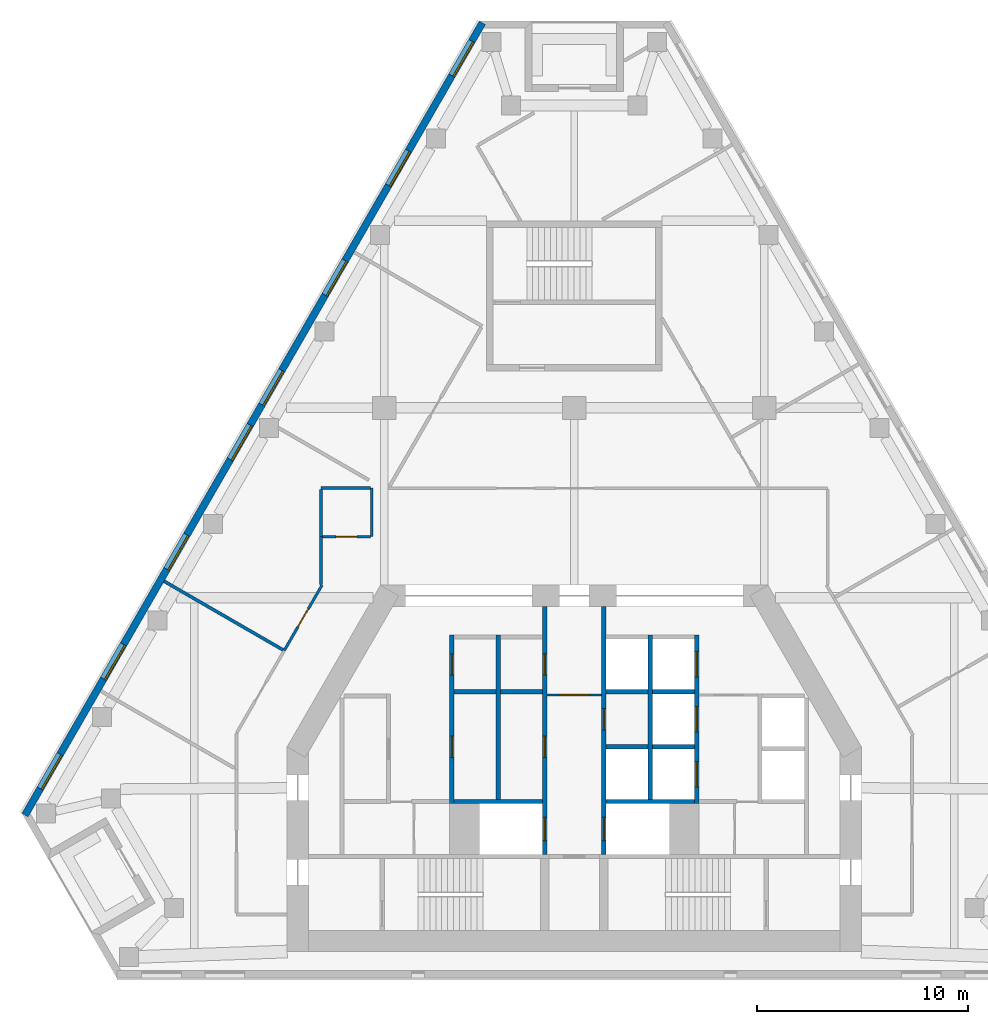
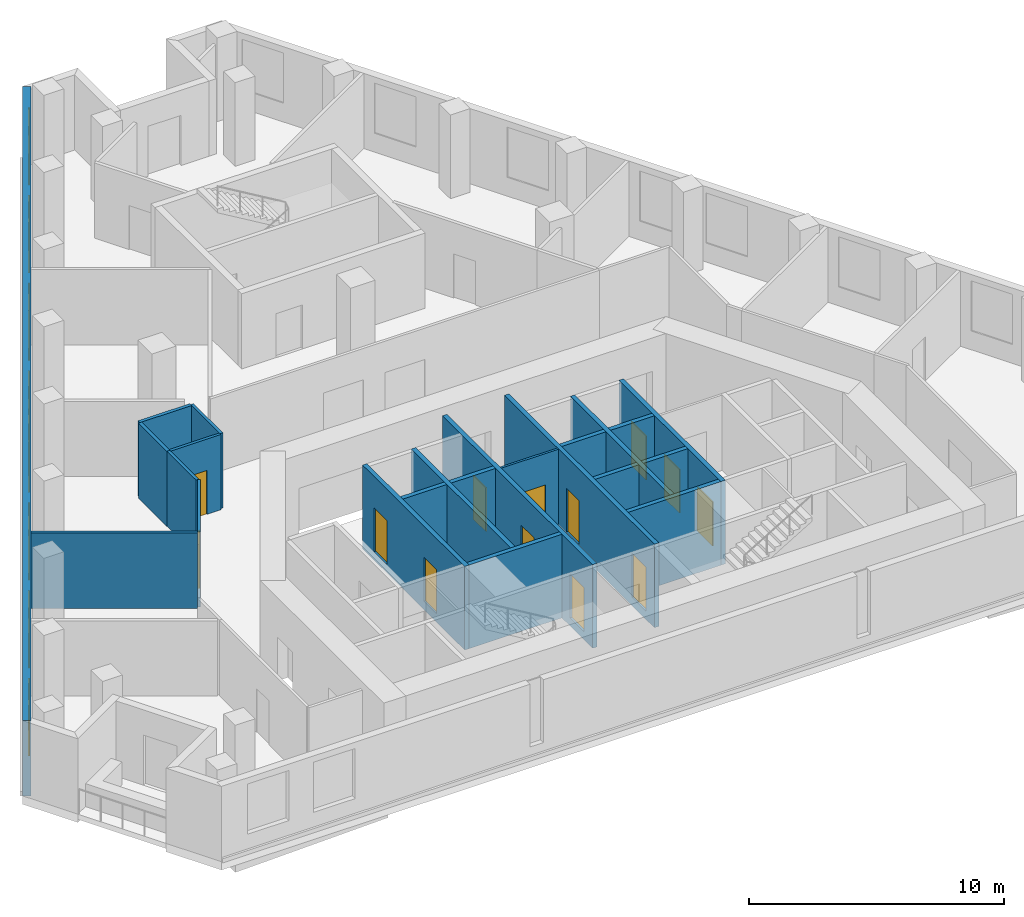
# One storey, part 3 of 7: 23 walls, 13 doors, 8 windows, 21 openings.
"""IFC4 building model written with IfcOpenShell, lengths in metres."""

from ifc_helpers import new_model, si_unit, direction, frame, frame_2d, origin, place, context, subcontext, project, spatial, rectangle, extrude, material, layer, layer_set, type_object, element, fill, save


model = new_model("IFC4")

# Units and contexts
model_context = context("Model", 3, precision=1e-05, world=origin(), true_north=direction((0.0, 1.0)))
body_context = subcontext(model_context, "Body", "Model", "MODEL_VIEW")
ifc_project = project(units=[si_unit("LENGTHUNIT", "METRE"), si_unit("AREAUNIT", "SQUARE_METRE"), si_unit("VOLUMEUNIT", "CUBIC_METRE"), si_unit("PLANEANGLEUNIT", "RADIAN"), si_unit("MASSUNIT", "GRAM", prefix="KILO")], contexts=[model_context])

# Site, building, storey
site_placement = place(None, origin())
site = spatial("IfcSite", under=ifc_project, at=site_placement, CompositionType="ELEMENT")
building_placement = place(site_placement, origin())
building = spatial("IfcBuilding", under=site, at=building_placement, Name="Fogline Exchange Tower", CompositionType="ELEMENT")
storey_placement = place(building_placement, frame((0.0, 0.0, 255.5)))
storey = spatial("IfcBuildingStorey", under=building, at=storey_placement, Name="L58", CompositionType="ELEMENT", Elevation=255.5)

# Wall, opening, door
ifc_material_1 = material(Name="Blockwork partition", Category="masonry")
ifc_layer_1 = layer(ifc_material_1, 0.10009765625)
ifc_layer_set_1 = layer_set([ifc_layer_1], Name="CW10")
wall_type_1 = type_object("IfcWallType", Name="CW10", PredefinedType="PARTITIONING", material=ifc_layer_set_1)
wall_1_placement = place(storey_placement, frame((-1.300048828125, 13.39990234375, 0.0), z_axis=(0.0, 0.0, 1.0), x_axis=(1.0, 0.0, 0.0)))
wall_1 = element("IfcWall", 1, at=wall_1_placement, inside=storey, type_object=wall_type_1, Name="Lift lobby partition", PredefinedType="PARTITIONING", context=body_context, shape_type="SweptSolid", body=[
    extrude(rectangle(XDim=2.60009765625, YDim=0.10009765625, at=frame_2d((1.300048828125, 0.0))), origin(), (0.0, 0.0, 1.0), 3.60009765625),
])
opening_1_placement = place(wall_1_placement, frame((0.60009765625, 0.0, 0.0)))
opening_1 = element("IfcOpeningElement", 2, at=opening_1_placement, cuts=wall_1, Name="Opening T18-C019", PredefinedType="OPENING", context=body_context, shape_type="SweptSolid", body=[
    extrude(rectangle(XDim=1.39990234375, YDim=2.10009765625, at=frame_2d((0.699951171875, 1.050048828125))), frame((0.0, 0.06005859375, 0.0), z_axis=(0.0, -1.0, 0.0), x_axis=(1.0, 0.0, 0.0)), (0.0, 0.0, 1.0), 0.1201171875),
])
ifc_material_2 = material(Name="Steel and timber fire door", Category="steel")
door_type_1 = type_object("IfcDoorType", Name="D-LB1", OperationType="DOUBLE_DOOR_SINGLE_SWING", PredefinedType="DOOR", material=ifc_material_2)
door_1_placement = place(opening_1_placement, origin())
door_1 = element("IfcDoor", 3, at=door_1_placement, inside=storey, type_object=door_type_1, Name="Door to firefighting lift lobby", OperationType="DOUBLE_DOOR_SINGLE_SWING", OverallHeight=2.10009765625, OverallWidth=1.39990234375, PredefinedType="DOOR", context=body_context, shape_type="SweptSolid", body=[
    extrude(rectangle(XDim=1.39990234375, YDim=2.10009765625, at=frame_2d((0.699951171875, 1.050048828125))), frame((0.0, 0.02490234375, 0.0), z_axis=(0.0, -1.0, 0.0), x_axis=(1.0, 0.0, 0.0)), (0.0, 0.0, 1.0), 0.050048828125),
])
fill(opening_1, door_1)

# Walls
ifc_material_3 = material(Name="Concrete C40", Category="concrete")
ifc_layer_2 = layer(ifc_material_3, 0.199951171875)
ifc_layer_set_2 = layer_set([ifc_layer_2], Name="CW20")
wall_type_2 = type_object("IfcWallType", Name="CW20", PredefinedType="SOLIDWALL", material=ifc_layer_set_2)
for number, where, z_axis, x_axis, name in (
    (4, (-5.699951171875, 13.550048828125, 0.0), (0.0, 0.0, 1.0), (1.0, 0.0, 0.0), "Service room wall"),
    (5, (-3.5, 13.550048828125, 0.0), (0.0, 0.0, 1.0), (1.0, 0.0, 0.0), "Service room wall"),
):
    element("IfcWall", number, at=place(storey_placement, frame(where, z_axis=z_axis, x_axis=x_axis)), inside=storey, type_object=wall_type_2, Name=name, PredefinedType="SOLIDWALL", context=body_context, shape_type="SweptSolid", body=[
        extrude(rectangle(XDim=2.0, YDim=0.199951171875, at=frame_2d((1.0, 0.0))), origin(), (0.0, 0.0, 1.0), 3.60009765625),
    ])

# Wall, openings, doors
ifc_layer_3 = layer(ifc_material_3, 0.199951171875)
ifc_layer_set_3 = layer_set([ifc_layer_3], Name="CW20S")
wall_type_3 = type_object("IfcWallType", Name="CW20S", PredefinedType="SOLIDWALL", material=ifc_layer_set_3)
wall_2_placement = place(storey_placement, frame((-5.800048828125, 8.25, -0.39990234375), z_axis=(0.0, 0.0, 1.0), x_axis=(0.0, 1.0, 0.0)))
wall_2 = element("IfcWall", 6, at=wall_2_placement, inside=storey, type_object=wall_type_3, Name="Lift shaft wall", PredefinedType="SOLIDWALL", context=body_context, shape_type="SweptSolid", body=[
    extrude(rectangle(XDim=8.0, YDim=0.199951171875, at=frame_2d((4.0, 0.0))), origin(), (0.0, 0.0, 1.0), 4.0),
])
opening_2_placement = place(wall_2_placement, frame((2.199951171875, 0.0, 0.39990234375)))
opening_2 = element("IfcOpeningElement", 7, at=opening_2_placement, cuts=wall_2, Name="Opening T18-C002", PredefinedType="OPENING", context=body_context, shape_type="SweptSolid", body=[
    extrude(rectangle(XDim=1.0, YDim=2.10009765625, at=frame_2d((0.5, 1.050048828125))), frame((0.0, 0.10986328125, 0.0), z_axis=(0.0, -1.0, 0.0), x_axis=(1.0, 0.0, 0.0)), (0.0, 0.0, 1.0), 0.219970703125),
])
opening_3_placement = place(wall_2_placement, frame((6.10009765625, 0.0, 0.39990234375)))
opening_3 = element("IfcOpeningElement", 8, at=opening_3_placement, cuts=wall_2, Name="Opening T18-C003", PredefinedType="OPENING", context=body_context, shape_type="SweptSolid", body=[
    extrude(rectangle(XDim=1.0, YDim=2.10009765625, at=frame_2d((0.5, 1.050048828125))), frame((0.0, 0.10986328125, 0.0), z_axis=(0.0, -1.0, 0.0), x_axis=(1.0, 0.0, 0.0)), (0.0, 0.0, 1.0), 0.219970703125),
])
door_type_2 = type_object("IfcDoorType", Name="D-RM1", OperationType="SINGLE_SWING_LEFT", PredefinedType="DOOR", material=ifc_material_2)
door_2_placement = place(opening_2_placement, frame((1.0, 0.0, 0.0), z_axis=(0.0, 0.0, 1.0), x_axis=(-1.0, 0.0, 0.0)))
door_2 = element("IfcDoor", 9, at=door_2_placement, inside=storey, type_object=door_type_2, Name="Door to Service Room", OperationType="SINGLE_SWING_LEFT", OverallHeight=2.10009765625, OverallWidth=1.0, PredefinedType="DOOR", context=body_context, shape_type="SweptSolid", body=[
    extrude(rectangle(XDim=1.0, YDim=2.10009765625, at=frame_2d((0.5, 1.050048828125))), frame((0.0, 0.02490234375, 0.0), z_axis=(0.0, -1.0, 0.0), x_axis=(1.0, 0.0, 0.0)), (0.0, 0.0, 1.0), 0.050048828125),
])
fill(opening_2, door_2)
door_3_placement = place(opening_3_placement, frame((1.0, 0.0, 0.0), z_axis=(0.0, 0.0, 1.0), x_axis=(-1.0, 0.0, 0.0)))
door_3 = element("IfcDoor", 10, at=door_3_placement, inside=storey, type_object=door_type_2, Name="Door to Records Store", OperationType="SINGLE_SWING_RIGHT", OverallHeight=2.10009765625, OverallWidth=1.0, PredefinedType="DOOR", context=body_context, shape_type="SweptSolid", body=[
    extrude(rectangle(XDim=1.0, YDim=2.10009765625, at=frame_2d((0.5, 1.050048828125))), frame((0.0, 0.02490234375, 0.0), z_axis=(0.0, -1.0, 0.0), x_axis=(1.0, 0.0, 0.0)), (0.0, 0.0, 1.0), 0.050048828125),
])
fill(opening_3, door_3)

wall_3_placement = place(storey_placement, frame((5.800048828125, 8.25, -0.39990234375), z_axis=(0.0, 0.0, 1.0), x_axis=(0.0, 1.0, 0.0)))
wall_3 = element("IfcWall", 11, at=wall_3_placement, inside=storey, type_object=wall_type_3, Name="Lift shaft wall", PredefinedType="SOLIDWALL", context=body_context, shape_type="SweptSolid", body=[
    extrude(rectangle(XDim=8.0, YDim=0.199951171875, at=frame_2d((4.0, 0.0))), origin(), (0.0, 0.0, 1.0), 4.0),
])
opening_4_placement = place(wall_3_placement, frame((0.800048828125, 0.0, 0.39990234375)))
opening_4 = element("IfcOpeningElement", 12, at=opening_4_placement, cuts=wall_3, Name="Opening T18-LD02", PredefinedType="OPENING", context=body_context, shape_type="SweptSolid", body=[
    extrude(rectangle(XDim=1.199951171875, YDim=2.10009765625, at=frame_2d((0.60009765625, 1.050048828125))), frame((0.0, 0.10986328125, 0.0), z_axis=(0.0, -1.0, 0.0), x_axis=(1.0, 0.0, 0.0)), (0.0, 0.0, 1.0), 0.219970703125),
])
opening_5_placement = place(wall_3_placement, frame((3.39990234375, 0.0, 0.39990234375)))
opening_5 = element("IfcOpeningElement", 13, at=opening_5_placement, cuts=wall_3, Name="Opening T18-LD03", PredefinedType="OPENING", context=body_context, shape_type="SweptSolid", body=[
    extrude(rectangle(XDim=1.199951171875, YDim=2.10009765625, at=frame_2d((0.60009765625, 1.050048828125))), frame((0.0, 0.10986328125, 0.0), z_axis=(0.0, -1.0, 0.0), x_axis=(1.0, 0.0, 0.0)), (0.0, 0.0, 1.0), 0.219970703125),
])
opening_6_placement = place(wall_3_placement, frame((6.0, 0.0, 0.39990234375)))
opening_6 = element("IfcOpeningElement", 14, at=opening_6_placement, cuts=wall_3, Name="Opening T18-LD04", PredefinedType="OPENING", context=body_context, shape_type="SweptSolid", body=[
    extrude(rectangle(XDim=1.199951171875, YDim=2.10009765625, at=frame_2d((0.60009765625, 1.050048828125))), frame((0.0, 0.10986328125, 0.0), z_axis=(0.0, -1.0, 0.0), x_axis=(1.0, 0.0, 0.0)), (0.0, 0.0, 1.0), 0.219970703125),
])
door_type_3 = type_object("IfcDoorType", Name="LD1", OperationType="SLIDING_TO_LEFT", PredefinedType="DOOR", material=ifc_material_2)
door_4_placement = place(opening_4_placement, origin())
door_4 = element("IfcDoor", 15, at=door_4_placement, inside=storey, type_object=door_type_3, Name="Landing door MR1", OperationType="SLIDING_TO_LEFT", OverallHeight=2.10009765625, OverallWidth=1.199951171875, PredefinedType="DOOR", context=body_context, shape_type="SweptSolid", body=[
    extrude(rectangle(XDim=1.199951171875, YDim=2.10009765625, at=frame_2d((0.60009765625, 1.050048828125))), frame((0.0, 0.02490234375, 0.0), z_axis=(0.0, -1.0, 0.0), x_axis=(1.0, 0.0, 0.0)), (0.0, 0.0, 1.0), 0.050048828125),
])
fill(opening_4, door_4)
door_5_placement = place(opening_5_placement, origin())
door_5 = element("IfcDoor", 16, at=door_5_placement, inside=storey, type_object=door_type_3, Name="Landing door MR2", OperationType="SLIDING_TO_LEFT", OverallHeight=2.10009765625, OverallWidth=1.199951171875, PredefinedType="DOOR", context=body_context, shape_type="SweptSolid", body=[
    extrude(rectangle(XDim=1.199951171875, YDim=2.10009765625, at=frame_2d((0.60009765625, 1.050048828125))), frame((0.0, 0.02490234375, 0.0), z_axis=(0.0, -1.0, 0.0), x_axis=(1.0, 0.0, 0.0)), (0.0, 0.0, 1.0), 0.050048828125),
])
fill(opening_5, door_5)
door_6_placement = place(opening_6_placement, origin())
door_6 = element("IfcDoor", 17, at=door_6_placement, inside=storey, type_object=door_type_3, Name="Landing door MR3", OperationType="SLIDING_TO_LEFT", OverallHeight=2.10009765625, OverallWidth=1.199951171875, PredefinedType="DOOR", context=body_context, shape_type="SweptSolid", body=[
    extrude(rectangle(XDim=1.199951171875, YDim=2.10009765625, at=frame_2d((0.60009765625, 1.050048828125))), frame((0.0, 0.02490234375, 0.0), z_axis=(0.0, -1.0, 0.0), x_axis=(1.0, 0.0, 0.0)), (0.0, 0.0, 1.0), 0.050048828125),
])
fill(opening_6, door_6)

# Walls
for number, where, z_axis, x_axis, name in (
    (18, (-3.60009765625, 8.449951171875, -0.39990234375), (0.0, 0.0, 1.0), (0.0, 1.0, 0.0), "Lift shaft wall"),
    (19, (3.60009765625, 8.449951171875, -0.39990234375), (0.0, 0.0, 1.0), (0.0, 1.0, 0.0), "Lift shaft wall"),
):
    element("IfcWall", number, at=place(storey_placement, frame(where, z_axis=z_axis, x_axis=x_axis)), inside=storey, type_object=wall_type_3, Name=name, PredefinedType="SOLIDWALL", context=body_context, shape_type="SweptSolid", body=[
        extrude(rectangle(XDim=7.800048828125, YDim=0.199951171875, at=frame_2d((3.89990234375, 0.0))), origin(), (0.0, 0.0, 1.0), 4.0),
    ])

# Wall, openings, doors
wall_4_placement = place(storey_placement, frame((-1.39990234375, 5.85009765625, -0.39990234375), z_axis=(0.0, 0.0, 1.0), x_axis=(0.0, 1.0, 0.0)))
wall_4 = element("IfcWall", 20, at=wall_4_placement, inside=storey, type_object=wall_type_3, Name="Lift lobby wall", PredefinedType="SOLIDWALL", context=body_context, shape_type="SweptSolid", body=[
    extrude(rectangle(XDim=11.75, YDim=0.199951171875, at=frame_2d((5.875, 0.0))), origin(), (0.0, 0.0, 1.0), 4.0),
])
opening_7_placement = place(wall_4_placement, frame((0.64990234375, 0.0, 0.39990234375)))
opening_7 = element("IfcOpeningElement", 21, at=opening_7_placement, cuts=wall_4, Name="Opening T18-LD01", PredefinedType="OPENING", context=body_context, shape_type="SweptSolid", body=[
    extrude(rectangle(XDim=1.10009765625, YDim=2.10009765625, at=frame_2d((0.550048828125, 1.050048828125))), frame((0.0, 0.10986328125, 0.0), z_axis=(0.0, -1.0, 0.0), x_axis=(1.0, 0.0, 0.0)), (0.0, 0.0, 1.0), 0.219970703125),
])
opening_8_placement = place(wall_4_placement, frame((4.60009765625, 0.0, 0.39990234375)))
opening_8 = element("IfcOpeningElement", 22, at=opening_8_placement, cuts=wall_4, Name="Opening T18-C004", PredefinedType="OPENING", context=body_context, shape_type="SweptSolid", body=[
    extrude(rectangle(XDim=1.0, YDim=2.10009765625, at=frame_2d((0.5, 1.050048828125))), frame((0.0, 0.10986328125, 0.0), z_axis=(0.0, -1.0, 0.0), x_axis=(1.0, 0.0, 0.0)), (0.0, 0.0, 1.0), 0.219970703125),
])
opening_9_placement = place(wall_4_placement, frame((8.5, 0.0, 0.39990234375)))
opening_9 = element("IfcOpeningElement", 23, at=opening_9_placement, cuts=wall_4, Name="Opening T18-C005", PredefinedType="OPENING", context=body_context, shape_type="SweptSolid", body=[
    extrude(rectangle(XDim=1.0, YDim=2.10009765625, at=frame_2d((0.5, 1.050048828125))), frame((0.0, 0.10986328125, 0.0), z_axis=(0.0, -1.0, 0.0), x_axis=(1.0, 0.0, 0.0)), (0.0, 0.0, 1.0), 0.219970703125),
])
door_7_placement = place(opening_8_placement, origin())
door_7 = element("IfcDoor", 24, at=door_7_placement, inside=storey, type_object=door_type_2, Name="Door to Plant Room", OperationType="SINGLE_SWING_LEFT", OverallHeight=2.10009765625, OverallWidth=1.0, PredefinedType="DOOR", context=body_context, shape_type="SweptSolid", body=[
    extrude(rectangle(XDim=1.0, YDim=2.10009765625, at=frame_2d((0.5, 1.050048828125))), frame((0.0, 0.02490234375, 0.0), z_axis=(0.0, -1.0, 0.0), x_axis=(1.0, 0.0, 0.0)), (0.0, 0.0, 1.0), 0.050048828125),
])
fill(opening_8, door_7)
door_8_placement = place(opening_9_placement, origin())
door_8 = element("IfcDoor", 25, at=door_8_placement, inside=storey, type_object=door_type_2, Name="Door to Plant Room", OperationType="SINGLE_SWING_LEFT", OverallHeight=2.10009765625, OverallWidth=1.0, PredefinedType="DOOR", context=body_context, shape_type="SweptSolid", body=[
    extrude(rectangle(XDim=1.0, YDim=2.10009765625, at=frame_2d((0.5, 1.050048828125))), frame((0.0, 0.02490234375, 0.0), z_axis=(0.0, -1.0, 0.0), x_axis=(1.0, 0.0, 0.0)), (0.0, 0.0, 1.0), 0.050048828125),
])
fill(opening_9, door_8)
door_type_4 = type_object("IfcDoorType", Name="LD2", OperationType="SLIDING_TO_RIGHT", PredefinedType="DOOR", material=ifc_material_2)
door_9_placement = place(opening_7_placement, origin())
door_9 = element("IfcDoor", 26, at=door_9_placement, inside=storey, type_object=door_type_4, Name="Landing door FF1", OperationType="SLIDING_TO_RIGHT", OverallHeight=2.10009765625, OverallWidth=1.10009765625, PredefinedType="DOOR", context=body_context, shape_type="SweptSolid", body=[
    extrude(rectangle(XDim=1.10009765625, YDim=2.10009765625, at=frame_2d((0.550048828125, 1.050048828125))), frame((0.0, 0.02490234375, 0.0), z_axis=(0.0, -1.0, 0.0), x_axis=(1.0, 0.0, 0.0)), (0.0, 0.0, 1.0), 0.050048828125),
])
fill(opening_7, door_9)

wall_5_placement = place(storey_placement, frame((1.39990234375, 5.85009765625, -0.39990234375), z_axis=(0.0, 0.0, 1.0), x_axis=(0.0, 1.0, 0.0)))
wall_5 = element("IfcWall", 27, at=wall_5_placement, inside=storey, type_object=wall_type_3, Name="Lift lobby wall", PredefinedType="SOLIDWALL", context=body_context, shape_type="SweptSolid", body=[
    extrude(rectangle(XDim=11.75, YDim=0.199951171875, at=frame_2d((5.875, 0.0))), origin(), (0.0, 0.0, 1.0), 4.0),
])
opening_10_placement = place(wall_5_placement, frame((0.64990234375, 0.0, 0.39990234375)))
opening_10 = element("IfcOpeningElement", 28, at=opening_10_placement, cuts=wall_5, Name="Opening T18-LD05", PredefinedType="OPENING", context=body_context, shape_type="SweptSolid", body=[
    extrude(rectangle(XDim=1.10009765625, YDim=2.10009765625, at=frame_2d((0.550048828125, 1.050048828125))), frame((0.0, 0.10986328125, 0.0), z_axis=(0.0, -1.0, 0.0), x_axis=(1.0, 0.0, 0.0)), (0.0, 0.0, 1.0), 0.219970703125),
])
opening_11_placement = place(wall_5_placement, frame((5.89990234375, 0.0, 0.39990234375)))
opening_11 = element("IfcOpeningElement", 29, at=opening_11_placement, cuts=wall_5, Name="Opening T18-C006", PredefinedType="OPENING", context=body_context, shape_type="SweptSolid", body=[
    extrude(rectangle(XDim=1.0, YDim=2.10009765625, at=frame_2d((0.5, 1.050048828125))), frame((0.0, 0.10986328125, 0.0), z_axis=(0.0, -1.0, 0.0), x_axis=(1.0, 0.0, 0.0)), (0.0, 0.0, 1.0), 0.219970703125),
])
door_10_placement = place(opening_11_placement, frame((1.0, 0.0, 0.0), z_axis=(0.0, 0.0, 1.0), x_axis=(-1.0, 0.0, 0.0)))
door_10 = element("IfcDoor", 30, at=door_10_placement, inside=storey, type_object=door_type_2, Name="Door to Library Store", OperationType="SINGLE_SWING_RIGHT", OverallHeight=2.10009765625, OverallWidth=1.0, PredefinedType="DOOR", context=body_context, shape_type="SweptSolid", body=[
    extrude(rectangle(XDim=1.0, YDim=2.10009765625, at=frame_2d((0.5, 1.050048828125))), frame((0.0, 0.02490234375, 0.0), z_axis=(0.0, -1.0, 0.0), x_axis=(1.0, 0.0, 0.0)), (0.0, 0.0, 1.0), 0.050048828125),
])
fill(opening_11, door_10)
door_11_placement = place(opening_10_placement, origin())
door_11 = element("IfcDoor", 31, at=door_11_placement, inside=storey, type_object=door_type_4, Name="Landing door FF2", OperationType="SLIDING_TO_RIGHT", OverallHeight=2.10009765625, OverallWidth=1.10009765625, PredefinedType="DOOR", context=body_context, shape_type="SweptSolid", body=[
    extrude(rectangle(XDim=1.10009765625, YDim=2.10009765625, at=frame_2d((0.550048828125, 1.050048828125))), frame((0.0, 0.02490234375, 0.0), z_axis=(0.0, -1.0, 0.0), x_axis=(1.0, 0.0, 0.0)), (0.0, 0.0, 1.0), 0.050048828125),
])
fill(opening_10, door_11)

# Walls
for number, where, z_axis, x_axis, name in (
    (32, (-5.699951171875, 8.35009765625, -0.39990234375), (0.0, 0.0, 1.0), (1.0, 0.0, 0.0), "Lift shaft wall"),
    (33, (1.5, 8.35009765625, -0.39990234375), (0.0, 0.0, 1.0), (1.0, 0.0, 0.0), "Lift shaft wall"),
):
    element("IfcWall", number, at=place(storey_placement, frame(where, z_axis=z_axis, x_axis=x_axis)), inside=storey, type_object=wall_type_3, Name=name, PredefinedType="SOLIDWALL", context=body_context, shape_type="SweptSolid", body=[
        extrude(rectangle(XDim=4.199951171875, YDim=0.199951171875, at=frame_2d((2.10009765625, 0.0))), origin(), (0.0, 0.0, 1.0), 4.0),
    ])
for number, where, z_axis, x_axis, name in (
    (34, (3.699951171875, 10.949951171875, -0.39990234375), (0.0, 0.0, 1.0), (1.0, 0.0, 0.0), "Lift shaft wall"),
    (35, (3.699951171875, 13.550048828125, -0.39990234375), (0.0, 0.0, 1.0), (1.0, 0.0, 0.0), "Lift shaft wall"),
    (36, (1.5, 10.949951171875, -0.39990234375), (0.0, 0.0, 1.0), (1.0, 0.0, 0.0), "Lift shaft wall"),
    (37, (1.5, 13.550048828125, -0.39990234375), (0.0, 0.0, 1.0), (1.0, 0.0, 0.0), "Lift shaft wall"),
):
    element("IfcWall", number, at=place(storey_placement, frame(where, z_axis=z_axis, x_axis=x_axis)), inside=storey, type_object=wall_type_3, Name=name, PredefinedType="SOLIDWALL", context=body_context, shape_type="SweptSolid", body=[
        extrude(rectangle(XDim=2.0, YDim=0.199951171875, at=frame_2d((1.0, 0.0))), origin(), (0.0, 0.0, 1.0), 4.0),
    ])

# Wall, openings, windows
ifc_material_4 = material(Name="Brick masonry", Category="masonry")
ifc_layer_4 = layer(ifc_material_4, 0.340087890625)
ifc_layer_set_4 = layer_set([ifc_layer_4], Name="FW1")
wall_type_4 = type_object("IfcWallType", Name="FW1", PredefinedType="SOLIDWALL", material=ifc_layer_set_4)
wall_6_placement = place(storey_placement, frame((-4.352783203125, 45.24169921875, 0.0), z_axis=(0.0, 0.0, 1.0), x_axis=(-0.500000891752, -0.866024888931, 0.0)))
wall_6 = element("IfcWall", 38, at=wall_6_placement, inside=storey, type_object=wall_type_4, Name="Brick wall L58 W", PredefinedType="SOLIDWALL", context=body_context, shape_type="SweptSolid", body=[
    extrude(rectangle(XDim=43.3388671875, YDim=0.340087890625, at=frame_2d((21.66943359375, 0.0))), origin(), (0.0, 0.0, 1.0), 3.60009765625),
])
opening_12_placement = place(wall_6_placement, frame((1.004150390625, 0.0, 0.89990234375)))
opening_12 = element("IfcOpeningElement", 39, at=opening_12_placement, cuts=wall_6, Name="Opening W1", PredefinedType="OPENING", context=body_context, shape_type="SweptSolid", body=[
    extrude(rectangle(XDim=1.885009765625, YDim=2.39990234375, at=frame_2d((0.9423828125, 1.199951171875))), frame((0.0, 0.18017578125, 0.0), z_axis=(0.0, -1.0, 0.0), x_axis=(1.0, 0.0, 0.0)), (0.0, 0.0, 1.0), 0.360107421875),
])
opening_13_placement = place(wall_6_placement, frame((7.004150390625, 0.0, 0.89990234375)))
opening_13 = element("IfcOpeningElement", 40, at=opening_13_placement, cuts=wall_6, Name="Opening W1", PredefinedType="OPENING", context=body_context, shape_type="SweptSolid", body=[
    extrude(rectangle(XDim=1.885009765625, YDim=2.39990234375, at=frame_2d((0.9423828125, 1.199951171875))), frame((0.0, 0.18017578125, 0.0), z_axis=(0.0, -1.0, 0.0), x_axis=(1.0, 0.0, 0.0)), (0.0, 0.0, 1.0), 0.360107421875),
])
opening_14_placement = place(wall_6_placement, frame((13.004150390625, 0.0, 0.89990234375)))
opening_14 = element("IfcOpeningElement", 41, at=opening_14_placement, cuts=wall_6, Name="Opening W1", PredefinedType="OPENING", context=body_context, shape_type="SweptSolid", body=[
    extrude(rectangle(XDim=1.885009765625, YDim=2.39990234375, at=frame_2d((0.9423828125, 1.199951171875))), frame((0.0, 0.18017578125, 0.0), z_axis=(0.0, -1.0, 0.0), x_axis=(1.0, 0.0, 0.0)), (0.0, 0.0, 1.0), 0.360107421875),
])
opening_15_placement = place(wall_6_placement, frame((19.004150390625, 0.0, 0.89990234375)))
opening_15 = element("IfcOpeningElement", 42, at=opening_15_placement, cuts=wall_6, Name="Opening W1", PredefinedType="OPENING", context=body_context, shape_type="SweptSolid", body=[
    extrude(rectangle(XDim=1.885009765625, YDim=2.39990234375, at=frame_2d((0.9423828125, 1.199951171875))), frame((0.0, 0.18017578125, 0.0), z_axis=(0.0, -1.0, 0.0), x_axis=(1.0, 0.0, 0.0)), (0.0, 0.0, 1.0), 0.360107421875),
])
opening_16_placement = place(wall_6_placement, frame((22.004150390625, 0.0, 0.89990234375)))
opening_16 = element("IfcOpeningElement", 43, at=opening_16_placement, cuts=wall_6, Name="Opening W1", PredefinedType="OPENING", context=body_context, shape_type="SweptSolid", body=[
    extrude(rectangle(XDim=1.885009765625, YDim=2.39990234375, at=frame_2d((0.9423828125, 1.199951171875))), frame((0.0, 0.18017578125, 0.0), z_axis=(0.0, -1.0, 0.0), x_axis=(1.0, 0.0, 0.0)), (0.0, 0.0, 1.0), 0.360107421875),
])
opening_17_placement = place(wall_6_placement, frame((28.004150390625, 0.0, 0.89990234375)))
opening_17 = element("IfcOpeningElement", 44, at=opening_17_placement, cuts=wall_6, Name="Opening W1", PredefinedType="OPENING", context=body_context, shape_type="SweptSolid", body=[
    extrude(rectangle(XDim=1.885009765625, YDim=2.39990234375, at=frame_2d((0.9423828125, 1.199951171875))), frame((0.0, 0.18017578125, 0.0), z_axis=(0.0, -1.0, 0.0), x_axis=(1.0, 0.0, 0.0)), (0.0, 0.0, 1.0), 0.360107421875),
])
opening_18_placement = place(wall_6_placement, frame((34.004150390625, 0.0, 0.89990234375)))
opening_18 = element("IfcOpeningElement", 45, at=opening_18_placement, cuts=wall_6, Name="Opening W1", PredefinedType="OPENING", context=body_context, shape_type="SweptSolid", body=[
    extrude(rectangle(XDim=1.885009765625, YDim=2.39990234375, at=frame_2d((0.9423828125, 1.199951171875))), frame((0.0, 0.18017578125, 0.0), z_axis=(0.0, -1.0, 0.0), x_axis=(1.0, 0.0, 0.0)), (0.0, 0.0, 1.0), 0.360107421875),
])
opening_19_placement = place(wall_6_placement, frame((40.004150390625, 0.0, 0.89990234375)))
opening_19 = element("IfcOpeningElement", 46, at=opening_19_placement, cuts=wall_6, Name="Opening W1", PredefinedType="OPENING", context=body_context, shape_type="SweptSolid", body=[
    extrude(rectangle(XDim=1.885009765625, YDim=2.39990234375, at=frame_2d((0.9423828125, 1.199951171875))), frame((0.0, 0.18017578125, 0.0), z_axis=(0.0, -1.0, 0.0), x_axis=(1.0, 0.0, 0.0)), (0.0, 0.0, 1.0), 0.360107421875),
])
ifc_material_5 = material(Name="Aluminium and glass", Category="aluminium")
window_type = type_object("IfcWindowType", Name="W1", PartitioningType="SINGLE_PANEL", PredefinedType="WINDOW", material=ifc_material_5)
window_1_placement = place(opening_12_placement, origin())
window_1 = element("IfcWindow", 47, at=window_1_placement, inside=storey, type_object=window_type, Name="W1 W1", OverallHeight=2.39990234375, OverallWidth=1.885009765625, PartitioningType="SINGLE_PANEL", PredefinedType="WINDOW", context=body_context, shape_type="SweptSolid", body=[
    extrude(rectangle(XDim=1.885009765625, YDim=2.39990234375, at=frame_2d((0.9423828125, 1.199951171875))), frame((0.0, 0.110107421875, 0.0), z_axis=(0.0, -1.0, 0.0), x_axis=(1.0, 0.0, 0.0)), (0.0, 0.0, 1.0), 0.06005859375),
])
fill(opening_12, window_1)
window_2_placement = place(opening_13_placement, origin())
window_2 = element("IfcWindow", 48, at=window_2_placement, inside=storey, type_object=window_type, Name="W1 W1", OverallHeight=2.39990234375, OverallWidth=1.885009765625, PartitioningType="SINGLE_PANEL", PredefinedType="WINDOW", context=body_context, shape_type="SweptSolid", body=[
    extrude(rectangle(XDim=1.885009765625, YDim=2.39990234375, at=frame_2d((0.9423828125, 1.199951171875))), frame((0.0, 0.110107421875, 0.0), z_axis=(0.0, -1.0, 0.0), x_axis=(1.0, 0.0, 0.0)), (0.0, 0.0, 1.0), 0.06005859375),
])
fill(opening_13, window_2)
window_3_placement = place(opening_14_placement, origin())
window_3 = element("IfcWindow", 49, at=window_3_placement, inside=storey, type_object=window_type, Name="W1 W1", OverallHeight=2.39990234375, OverallWidth=1.885009765625, PartitioningType="SINGLE_PANEL", PredefinedType="WINDOW", context=body_context, shape_type="SweptSolid", body=[
    extrude(rectangle(XDim=1.885009765625, YDim=2.39990234375, at=frame_2d((0.9423828125, 1.199951171875))), frame((0.0, 0.110107421875, 0.0), z_axis=(0.0, -1.0, 0.0), x_axis=(1.0, 0.0, 0.0)), (0.0, 0.0, 1.0), 0.06005859375),
])
fill(opening_14, window_3)
window_4_placement = place(opening_15_placement, origin())
window_4 = element("IfcWindow", 50, at=window_4_placement, inside=storey, type_object=window_type, Name="W1 W1", OverallHeight=2.39990234375, OverallWidth=1.885009765625, PartitioningType="SINGLE_PANEL", PredefinedType="WINDOW", context=body_context, shape_type="SweptSolid", body=[
    extrude(rectangle(XDim=1.885009765625, YDim=2.39990234375, at=frame_2d((0.9423828125, 1.199951171875))), frame((0.0, 0.110107421875, 0.0), z_axis=(0.0, -1.0, 0.0), x_axis=(1.0, 0.0, 0.0)), (0.0, 0.0, 1.0), 0.06005859375),
])
fill(opening_15, window_4)
window_5_placement = place(opening_16_placement, origin())
window_5 = element("IfcWindow", 51, at=window_5_placement, inside=storey, type_object=window_type, Name="W1 W1", OverallHeight=2.39990234375, OverallWidth=1.885009765625, PartitioningType="SINGLE_PANEL", PredefinedType="WINDOW", context=body_context, shape_type="SweptSolid", body=[
    extrude(rectangle(XDim=1.885009765625, YDim=2.39990234375, at=frame_2d((0.9423828125, 1.199951171875))), frame((0.0, 0.110107421875, 0.0), z_axis=(0.0, -1.0, 0.0), x_axis=(1.0, 0.0, 0.0)), (0.0, 0.0, 1.0), 0.06005859375),
])
fill(opening_16, window_5)
window_6_placement = place(opening_17_placement, origin())
window_6 = element("IfcWindow", 52, at=window_6_placement, inside=storey, type_object=window_type, Name="W1 W1", OverallHeight=2.39990234375, OverallWidth=1.885009765625, PartitioningType="SINGLE_PANEL", PredefinedType="WINDOW", context=body_context, shape_type="SweptSolid", body=[
    extrude(rectangle(XDim=1.885009765625, YDim=2.39990234375, at=frame_2d((0.9423828125, 1.199951171875))), frame((0.0, 0.110107421875, 0.0), z_axis=(0.0, -1.0, 0.0), x_axis=(1.0, 0.0, 0.0)), (0.0, 0.0, 1.0), 0.06005859375),
])
fill(opening_17, window_6)
window_7_placement = place(opening_18_placement, origin())
window_7 = element("IfcWindow", 53, at=window_7_placement, inside=storey, type_object=window_type, Name="W1 W1", OverallHeight=2.39990234375, OverallWidth=1.885009765625, PartitioningType="SINGLE_PANEL", PredefinedType="WINDOW", context=body_context, shape_type="SweptSolid", body=[
    extrude(rectangle(XDim=1.885009765625, YDim=2.39990234375, at=frame_2d((0.9423828125, 1.199951171875))), frame((0.0, 0.110107421875, 0.0), z_axis=(0.0, -1.0, 0.0), x_axis=(1.0, 0.0, 0.0)), (0.0, 0.0, 1.0), 0.06005859375),
])
fill(opening_18, window_7)
window_8_placement = place(opening_19_placement, origin())
window_8 = element("IfcWindow", 54, at=window_8_placement, inside=storey, type_object=window_type, Name="W1 W1", OverallHeight=2.39990234375, OverallWidth=1.885009765625, PartitioningType="SINGLE_PANEL", PredefinedType="WINDOW", context=body_context, shape_type="SweptSolid", body=[
    extrude(rectangle(XDim=1.885009765625, YDim=2.39990234375, at=frame_2d((0.9423828125, 1.199951171875))), frame((0.0, 0.110107421875, 0.0), z_axis=(0.0, -1.0, 0.0), x_axis=(1.0, 0.0, 0.0)), (0.0, 0.0, 1.0), 0.06005859375),
])
fill(opening_19, window_8)

# Wall, opening, door
ifc_material_6 = material(Name="Plasterboard corridor partition with mineral wool, 2 layers each side")
ifc_layer_5 = layer(ifc_material_6, 0.125)
ifc_layer_set_5 = layer_set([ifc_layer_5], Name="PW2")
wall_type_5 = type_object("IfcWallType", Name="PW2", PredefinedType="PARTITIONING", material=ifc_layer_set_5)
wall_7_placement = place(storey_placement, frame((-11.925048828125, 20.89990234375, 0.0), z_axis=(0.0, 0.0, 1.0), x_axis=(1.0, 0.0, 0.0)))
wall_7 = element("IfcWall", 55, at=wall_7_placement, inside=storey, type_object=wall_type_5, Name="wall-L58-W009", PredefinedType="PARTITIONING", context=body_context, shape_type="SweptSolid", body=[
    extrude(rectangle(XDim=2.262451171875, YDim=0.125, at=frame_2d((1.13134765625, 0.0))), origin(), (0.0, 0.0, 1.0), 3.60009765625),
])
opening_20_placement = place(wall_7_placement, frame((0.63134765625, 0.0, 0.0)))
opening_20 = element("IfcOpeningElement", 56, at=opening_20_placement, cuts=wall_7, Name="Opening T18-D004", PredefinedType="OPENING", context=body_context, shape_type="SweptSolid", body=[
    extrude(rectangle(XDim=1.0, YDim=2.10009765625, at=frame_2d((0.5, 1.050048828125))), frame((0.0, 0.072509765625, 0.0), z_axis=(0.0, -1.0, 0.0), x_axis=(1.0, 0.0, 0.0)), (0.0, 0.0, 1.0), 0.14501953125),
])
ifc_material_7 = material(Name="Fire-rated timber door leaf with steel frame", Category="steel")
door_type_5 = type_object("IfcDoorType", Name="D3", OperationType="SINGLE_SWING_LEFT", PredefinedType="DOOR", material=ifc_material_7)
door_12_placement = place(opening_20_placement, origin())
door_12 = element("IfcDoor", 57, at=door_12_placement, inside=storey, type_object=door_type_5, Name="door-L58-D004", OperationType="SINGLE_SWING_LEFT", OverallHeight=2.10009765625, OverallWidth=1.0, PredefinedType="DOOR", context=body_context, shape_type="SweptSolid", body=[
    extrude(rectangle(XDim=1.0, YDim=2.10009765625, at=frame_2d((0.5, 1.050048828125))), frame((0.0, 0.02490234375, 0.0), z_axis=(0.0, -1.0, 0.0), x_axis=(1.0, 0.0, 0.0)), (0.0, 0.0, 1.0), 0.050048828125),
])
fill(opening_20, door_12)

# Walls
wall_8_placement = place(storey_placement, frame((-9.60009765625, 20.89990234375, 0.0), z_axis=(0.0, 0.0, 1.0), x_axis=(0.0, 1.0, 0.0)))
element("IfcWall", 58, at=wall_8_placement, inside=storey, type_object=wall_type_5, Name="wall-L58-W010", PredefinedType="PARTITIONING", context=body_context, shape_type="SweptSolid", body=[
    extrude(rectangle(XDim=2.300048828125, YDim=0.125, at=frame_2d((1.14990234375, 0.0))), origin(), (0.0, 0.0, 1.0), 3.60009765625),
])
wall_9_placement = place(storey_placement, frame((-12.0, 18.631591796875, 0.0), z_axis=(0.0, 0.0, 1.0), x_axis=(0.0, 1.0, 0.0)))
element("IfcWall", 59, at=wall_9_placement, inside=storey, type_object=wall_type_5, Name="wall-L58-W011", PredefinedType="PARTITIONING", context=body_context, shape_type="SweptSolid", body=[
    extrude(rectangle(XDim=2.268310546875, YDim=0.125, at=frame_2d((1.13427734375, 0.0))), origin(), (0.0, 0.0, 1.0), 3.60009765625),
])

# Wall, opening, door
wall_10_placement = place(storey_placement, frame((-13.7392578125, 15.50439453125, 0.0), z_axis=(0.0, 0.0, 1.0), x_axis=(0.500010172281, 0.866019530736, 0.0)))
wall_10 = element("IfcWall", 60, at=wall_10_placement, inside=storey, type_object=wall_type_5, Name="wall-L58-W012", PredefinedType="PARTITIONING", context=body_context, shape_type="SweptSolid", body=[
    extrude(rectangle(XDim=3.57470703125, YDim=0.125, at=frame_2d((1.787353515625, 0.0))), origin(), (0.0, 0.0, 1.0), 3.60009765625),
])
opening_21_placement = place(wall_10_placement, frame((1.287353515625, 0.0, 0.0)))
opening_21 = element("IfcOpeningElement", 61, at=opening_21_placement, cuts=wall_10, Name="Opening T18-D005", PredefinedType="OPENING", context=body_context, shape_type="SweptSolid", body=[
    extrude(rectangle(XDim=1.0, YDim=2.10009765625, at=frame_2d((0.5, 1.050048828125))), frame((0.0, 0.072509765625, 0.0), z_axis=(0.0, -1.0, 0.0), x_axis=(1.0, 0.0, 0.0)), (0.0, 0.0, 1.0), 0.14501953125),
])
door_13_placement = place(opening_21_placement, origin())
door_13 = element("IfcDoor", 62, at=door_13_placement, inside=storey, type_object=door_type_5, Name="door-L58-D005", OperationType="SINGLE_SWING_LEFT", OverallHeight=2.10009765625, OverallWidth=1.0, PredefinedType="DOOR", context=body_context, shape_type="SweptSolid", body=[
    extrude(rectangle(XDim=1.0, YDim=2.10009765625, at=frame_2d((0.5, 1.050048828125))), frame((0.0, 0.02490234375, 0.0), z_axis=(0.0, -1.0, 0.0), x_axis=(1.0, 0.0, 0.0)), (0.0, 0.0, 1.0), 0.050048828125),
])
fill(opening_21, door_13)

# Walls
ifc_material_8 = material(Name="Plasterboard demising partition with mineral wool and acoustic board")
ifc_layer_6 = layer(ifc_material_8, 0.14990234375)
ifc_layer_set_6 = layer_set([ifc_layer_6], Name="PW3")
wall_type_6 = type_object("IfcWallType", Name="PW3", PredefinedType="PARTITIONING", material=ifc_layer_set_6)
wall_11_placement = place(storey_placement, frame((-12.0, 20.89990234375, 0.0), z_axis=(0.0, 0.0, 1.0), x_axis=(0.0, 1.0, 0.0)))
element("IfcWall", 63, at=wall_11_placement, inside=storey, type_object=wall_type_6, Name="wall-L58-W029", PredefinedType="PARTITIONING", context=body_context, shape_type="SweptSolid", body=[
    extrude(rectangle(XDim=2.22509765625, YDim=0.14990234375, at=frame_2d((1.112548828125, 0.0))), origin(), (0.0, 0.0, 1.0), 3.60009765625),
])
wall_12_placement = place(storey_placement, frame((-12.0, 23.199951171875, 0.0), z_axis=(0.0, 0.0, 1.0), x_axis=(1.0, 0.0, 0.0)))
element("IfcWall", 64, at=wall_12_placement, inside=storey, type_object=wall_type_6, Name="wall-L58-W030", PredefinedType="PARTITIONING", context=body_context, shape_type="SweptSolid", body=[
    extrude(rectangle(XDim=2.33740234375, YDim=0.14990234375, at=frame_2d((1.168701171875, 0.0))), origin(), (0.0, 0.0, 1.0), 3.60009765625),
])
wall_13_placement = place(storey_placement, frame((-13.793212890625, 15.53564453125, 0.0), z_axis=(0.0, 0.0, 1.0), x_axis=(-0.866025018171, 0.500000667901, 0.0)))
element("IfcWall", 65, at=wall_13_placement, inside=storey, type_object=wall_type_6, Name="wall-L58-W031", PredefinedType="PARTITIONING", context=body_context, shape_type="SweptSolid", body=[
    extrude(rectangle(XDim=6.50732421875, YDim=0.14990234375, at=frame_2d((3.253662109375, 0.0))), origin(), (0.0, 0.0, 1.0), 3.60009765625),
])

save(model, "model.ifc")
